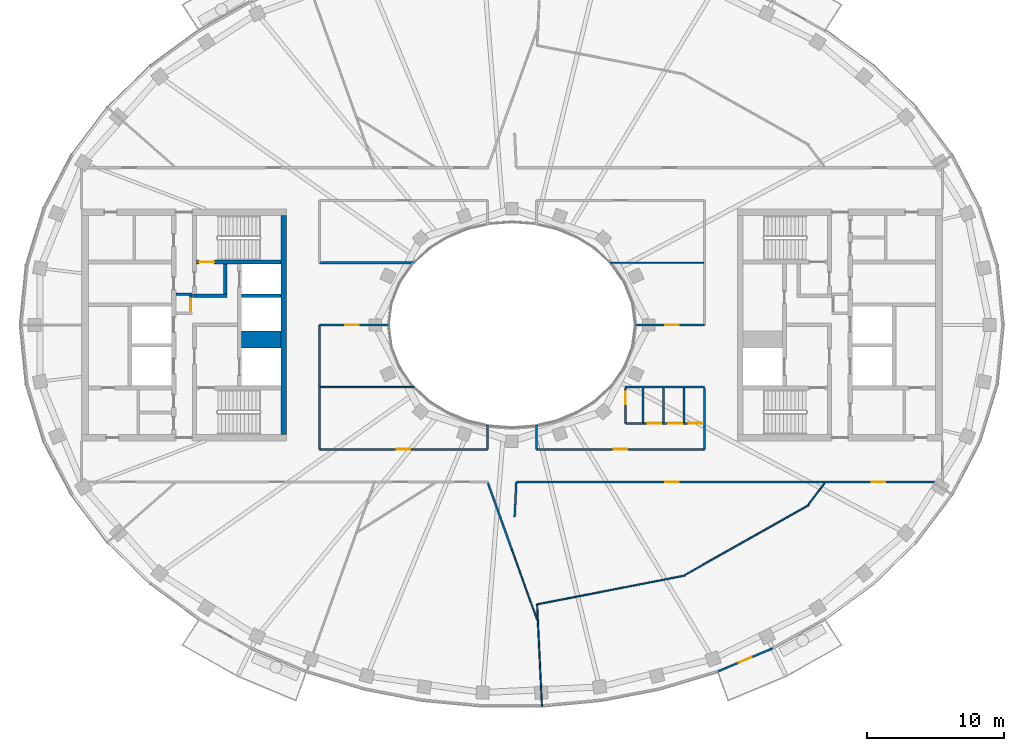
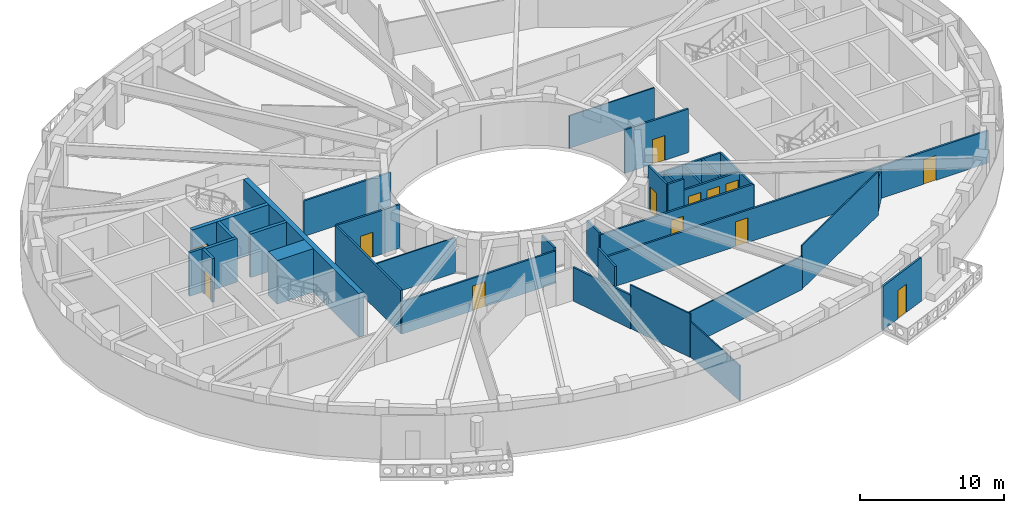
# One storey, part 4 of 15: 35 walls, 13 doors, 13 openings.
"""IFC4 building model written with IfcOpenShell, lengths in metres."""

import ifcopenshell
import ifcopenshell.guid

model = None  # the IFC model being written
_history = None  # IfcOwnerHistory: only IFC2X3 demands one
_inside = {}  # id of a spatial element -> (the spatial element, [elements in it])
_under = {}  # id of a project, library or spatial element -> (it, [spatial elements below it])
_declared = {}  # id of a project -> (the project, [libraries it declares])
_typed = {}  # id of a type object -> (the type object, [elements of that type])
_made_of = {}  # id of a material, layer set ... -> (it, [elements and type objects made of it])


def new_model(schema):
    """Start an empty IFC model of exactly this schema.

    Asked for "IFC4X3", IfcOpenShell would pick the latest addendum, in which some entities
    have other attributes; the version numbers below select the first issue.
    IFC2X3 requires an IfcOwnerHistory on every rooted entity: one is made here for all.
    """
    global model, _history
    if schema == "IFC4X3":
        model = ifcopenshell.file(schema_version=(4, 3, 0, 0))
    else:
        model = ifcopenshell.file(schema=schema)
    _inside.clear()
    _under.clear()
    _declared.clear()
    _typed.clear()
    _made_of.clear()
    _history = None
    if model.schema == "IFC2X3":
        org = make("IfcOrganization", Name="unknown")
        user = make(
            "IfcPersonAndOrganization",
            ThePerson=make("IfcPerson", FamilyName="unknown"),
            TheOrganization=org,
        )
        app = make(
            "IfcApplication",
            ApplicationDeveloper=org,
            Version="unknown",
            ApplicationFullName="unknown",
            ApplicationIdentifier="unknown",
        )
        _history = make(
            "IfcOwnerHistory",
            OwningUser=user,
            OwningApplication=app,
            ChangeAction="ADDED",
            CreationDate=0,
        )
    return model


def make(cls, **values):
    """One entity of the class cls with the attributes given. An attribute that is None is left unset."""
    return model.create_entity(
        cls, **{name: value for name, value in values.items() if value is not None}
    )


def rooted(cls, **values):
    """An entity with a GlobalId (a new one), such as an element, a storey or a relation."""
    return make(cls, GlobalId=ifcopenshell.guid.new(), OwnerHistory=_history, **values)


def si_unit(unit_type, name, prefix=None):
    """IfcSIUnit, for example si_unit("LENGTHUNIT", "METRE", prefix="MILLI")."""
    return make("IfcSIUnit", UnitType=unit_type, Prefix=prefix, Name=name)


def assignment(units):
    """IfcUnitAssignment: the units of a project."""
    return None if units is None else make("IfcUnitAssignment", Units=units)


def point(xyz):
    """IfcCartesianPoint."""
    return None if xyz is None else make("IfcCartesianPoint", Coordinates=xyz)


def direction(xyz):
    """IfcDirection."""
    return None if xyz is None else make("IfcDirection", DirectionRatios=xyz)


def frame(location, z_axis=None, x_axis=None):
    """IfcAxis2Placement3D, a coordinate frame: its origin and axes. An axis left out is left unset."""
    return make(
        "IfcAxis2Placement3D",
        Location=point(location),
        Axis=direction(z_axis),
        RefDirection=direction(x_axis),
    )


def frame_2d(location, x_axis=None):
    """IfcAxis2Placement2D, a coordinate frame in the plane: its origin and x axis."""
    return make(
        "IfcAxis2Placement2D", Location=point(location), RefDirection=direction(x_axis)
    )


def origin():
    """The frame at (0, 0, 0) with its axes left unset."""
    return frame((0.0, 0.0, 0.0))


def place(relative_to, where):
    """IfcLocalPlacement: puts the frame where relative to a parent placement (None: the world)."""
    return make(
        "IfcLocalPlacement", PlacementRelTo=relative_to, RelativePlacement=where
    )


def context(
    kind, dimensions, precision=None, world=None, true_north=None, identifier=None
):
    """IfcGeometricRepresentationContext, for example the 3D "Model" context."""
    return make(
        "IfcGeometricRepresentationContext",
        ContextIdentifier=identifier,
        ContextType=kind,
        CoordinateSpaceDimension=dimensions,
        Precision=precision,
        WorldCoordinateSystem=world,
        TrueNorth=true_north,
    )


def subcontext(parent, identifier, kind, view, scale=None):
    """IfcGeometricRepresentationSubContext, for example "Body" below "Model"."""
    return make(
        "IfcGeometricRepresentationSubContext",
        ContextIdentifier=identifier,
        ContextType=kind,
        ParentContext=parent,
        TargetScale=scale,
        TargetView=view,
    )


def project(units=None, contexts=None):
    """IfcProject with its units and contexts."""
    return rooted(
        "IfcProject",
        Name="project",
        RepresentationContexts=contexts,
        UnitsInContext=assignment(units),
    )


def spatial(cls, under=None, at=None, **own):
    """A site, building, storey or space (cls), placed at a placement, below another one or the project."""
    s = rooted(cls, ObjectPlacement=at, **own)
    if under is not None:
        _under.setdefault(under.id(), (under, []))[1].append(s)
    return s


def profile(cls, at=None, kind="AREA", **sizes):
    """A parametric profile (cls). Its sizes go by their IFC names, for example OverallWidth=200.0."""
    return make(cls, ProfileType=kind, Position=at, **sizes)


def rectangle(**sizes):
    """IfcRectangleProfileDef."""
    return profile("IfcRectangleProfileDef", **sizes)


def extrude(swept, where, along, depth):
    """IfcExtrudedAreaSolid: the profile swept, set in the frame where, extruded along a direction by depth."""
    return make(
        "IfcExtrudedAreaSolid",
        SweptArea=swept,
        Position=where,
        ExtrudedDirection=direction(along),
        Depth=depth,
    )


def shape(context_of_items, identifier, shape_type, items):
    """IfcShapeRepresentation: the items that make up one representation, for example the "Body"."""
    return make(
        "IfcShapeRepresentation",
        ContextOfItems=context_of_items,
        RepresentationIdentifier=identifier,
        RepresentationType=shape_type,
        Items=items,
    )


def material(Name=None, Category=None):
    """IfcMaterial."""
    return make("IfcMaterial", Name=Name, Category=Category)


def layer(
    of_material, thickness, ventilated=None, Name=None, Category=None, Priority=None
):
    """IfcMaterialLayer: one layer of a wall or slab, of a material (None: an air gap)."""
    return make(
        "IfcMaterialLayer",
        Material=of_material,
        LayerThickness=thickness,
        IsVentilated=ventilated,
        Name=Name,
        Category=Category,
        Priority=Priority,
    )


def layer_set(layers, Name=None):
    """IfcMaterialLayerSet."""
    return make("IfcMaterialLayerSet", MaterialLayers=layers, LayerSetName=Name)


def made_of(thing, what):
    """Note that an element or type object is made of a material, layer set ...; save() writes the relation."""
    if what is not None:
        _made_of.setdefault(what.id(), (what, []))[1].append(thing)
    return thing


def type_object(cls, material=None, **own):
    """A type object (cls), such as IfcWallType, which elements share."""
    return made_of(rooted(cls, **own), material)


def element(
    cls,
    number,
    at=None,
    inside=None,
    cuts=None,
    type_object=None,
    material=None,
    context=None,
    identifier="Body",
    shape_type=None,
    held_by="IfcProductDefinitionShape",
    body=None,
    shapes=None,
    **own,
):
    """One element of the class cls, such as IfcWall. Its Tag is "e" and its number.

    at: its placement. inside: the storey or other place that contains it. cuts: it is an
    opening in that element (IfcRelVoidsElement). A single representation is given by context,
    identifier, shape_type and body (its items); several are given by shapes. held_by: the class
    of the entity that holds the representations. save() writes the other relations.
    """
    e = rooted(cls, Tag="e%d" % number, ObjectPlacement=at, **own)
    if body is not None:
        shapes = [shape(context, identifier, shape_type, body)]
    if shapes is not None:
        e.Representation = make(held_by, Representations=shapes)
    if inside is not None:
        _inside.setdefault(inside.id(), (inside, []))[1].append(e)
    if cuts is not None:
        rooted(
            "IfcRelVoidsElement", RelatingBuildingElement=cuts, RelatedOpeningElement=e
        )
    if type_object is not None:
        _typed.setdefault(type_object.id(), (type_object, []))[1].append(e)
    return made_of(e, material)


def fill(opening, filler):
    """IfcRelFillsElement: the door or window that sits in an opening."""
    return rooted(
        "IfcRelFillsElement",
        RelatingOpeningElement=opening,
        RelatedBuildingElement=filler,
    )


def aggregate(whole, parts):
    """IfcRelAggregates: a whole, such as a stair, and the parts it consists of."""
    return rooted("IfcRelAggregates", RelatingObject=whole, RelatedObjects=parts)


def save(model, path):
    """Write the relations noted so far, then the file.

    IfcRelAggregates (storeys below a building ...), IfcRelContainedInSpatialStructure (elements
    in a storey), IfcRelDefinesByType, IfcRelAssociatesMaterial and IfcRelDeclares: one each for
    every whole, place, type object, material and project.
    """
    for whole, parts in _under.values():
        aggregate(whole, parts)
    for where, things in _inside.values():
        rooted(
            "IfcRelContainedInSpatialStructure",
            RelatedElements=things,
            RelatingStructure=where,
        )
    for kind, things in _typed.values():
        rooted("IfcRelDefinesByType", RelatedObjects=things, RelatingType=kind)
    for what, things in _made_of.values():
        rooted("IfcRelAssociatesMaterial", RelatedObjects=things, RelatingMaterial=what)
    for by, libraries in _declared.values():
        rooted("IfcRelDeclares", RelatingContext=by, RelatedDefinitions=libraries)
    model.write(path)


model = new_model("IFC4")

# Units and contexts
model_context = context("Model", 3, precision=1e-05, world=origin(), true_north=direction((0.0, 1.0)))
body_context = subcontext(model_context, "Body", "Model", "MODEL_VIEW")
ifc_project = project(units=[si_unit("LENGTHUNIT", "METRE"), si_unit("AREAUNIT", "SQUARE_METRE"), si_unit("VOLUMEUNIT", "CUBIC_METRE"), si_unit("PLANEANGLEUNIT", "RADIAN"), si_unit("MASSUNIT", "GRAM", prefix="KILO")], contexts=[model_context])

# Site, building, storey
site_placement = place(None, origin())
site = spatial("IfcSite", under=ifc_project, at=site_placement, CompositionType="ELEMENT")
building_placement = place(site_placement, origin())
building = spatial("IfcBuilding", under=site, at=building_placement, Name="Noorbagh Ring Tower", CompositionType="ELEMENT")
storey_placement = place(building_placement, frame((0.0, 0.0, 307.0)))
storey = spatial("IfcBuildingStorey", under=building, at=storey_placement, Name="L66", CompositionType="ELEMENT", Elevation=307.0)

# Wall, opening, door
ifc_material_1 = material(Name="Gypsum board on steel studs", Category="steel")
ifc_layer_1 = layer(ifc_material_1, 0.14990234375)
ifc_layer_set_1 = layer_set([ifc_layer_1], Name="Gypsum board on steel studs")
wall_type_1 = type_object("IfcWallType", Name="COMPARTMENT PARTITION 150 EI 60", PredefinedType="PARTITIONING", material=ifc_layer_set_1)
wall_1_placement = place(storey_placement, frame((8.300048828125, -7.199951171875, 0.0), z_axis=(0.0, 0.0, 1.0), x_axis=(0.0, 1.0, 0.0)))
wall_1 = element("IfcWall", 1, at=wall_1_placement, inside=storey, type_object=wall_type_1, Name="L66/wall/P41", PredefinedType="PARTITIONING", context=body_context, shape_type="SweptSolid", body=[
    extrude(rectangle(XDim=2.595947265625, YDim=0.14990234375, at=frame_2d((1.2978515625, 0.0))), origin(), (0.0, 0.0, 1.0), 3.699951171875),
])
opening_1_placement = place(wall_1_placement, frame((1.39990234375, 0.0, 0.0)))
opening_1 = element("IfcOpeningElement", 2, at=opening_1_placement, cuts=wall_1, Name="Opening D4", PredefinedType="OPENING", context=body_context, shape_type="SweptSolid", body=[
    extrude(rectangle(XDim=0.89990234375, YDim=2.10009765625, at=frame_2d((0.449951171875, 1.050048828125))), frame((0.0, 0.0849609375, 0.0), z_axis=(0.0, -1.0, 0.0), x_axis=(1.0, 0.0, 0.0)), (0.0, 0.0, 1.0), 0.169921875),
])
ifc_material_2 = material(Name="Timber, painted", Category="wood")
door_type_1 = type_object("IfcDoorType", Name="DOOR 900 X 2100 FD60", OperationType="SINGLE_SWING_LEFT", PredefinedType="DOOR", material=ifc_material_2)
door_1_placement = place(opening_1_placement, origin())
door_1 = element("IfcDoor", 3, at=door_1_placement, inside=storey, type_object=door_type_1, Name="L66-D05", OperationType="SINGLE_SWING_RIGHT", OverallHeight=2.10009765625, OverallWidth=0.89990234375, PredefinedType="DOOR", context=body_context, shape_type="SweptSolid", body=[
    extrude(rectangle(XDim=0.89990234375, YDim=2.10009765625, at=frame_2d((0.449951171875, 1.050048828125))), frame((0.0, 0.02490234375, 0.0), z_axis=(0.0, -1.0, 0.0), x_axis=(1.0, 0.0, 0.0)), (0.0, 0.0, 1.0), 0.050048828125),
])
fill(opening_1, door_1)

# Walls
wall_2_placement = place(storey_placement, frame((8.300048828125, -7.199951171875, 0.0), z_axis=(0.0, 0.0, 1.0), x_axis=(1.0, 0.0, 0.0)))
element("IfcWall", 4, at=wall_2_placement, inside=storey, type_object=wall_type_1, Name="L66/wall/P42", PredefinedType="PARTITIONING", context=body_context, shape_type="SweptSolid", body=[
    extrude(rectangle(XDim=1.27587890625, YDim=0.14990234375, at=frame_2d((0.637939453125, 0.0))), origin(), (0.0, 0.0, 1.0), 3.699951171875),
])
wall_3_placement = place(storey_placement, frame((9.575927734375, -7.199951171875, 0.0), z_axis=(0.0, 0.0, 1.0), x_axis=(0.0, 1.0, 0.0)))
element("IfcWall", 5, at=wall_3_placement, inside=storey, type_object=wall_type_1, Name="L66/wall/P44", PredefinedType="PARTITIONING", context=body_context, shape_type="SweptSolid", body=[
    extrude(rectangle(XDim=2.599853515625, YDim=0.14990234375, at=frame_2d((1.2998046875, 0.0))), origin(), (0.0, 0.0, 1.0), 2.75),
])
ifc_material_3 = material(Name="Gypsum board on steel studs", Category="steel")
ifc_layer_2 = layer(ifc_material_3, 0.199951171875)
ifc_layer_set_2 = layer_set([ifc_layer_2], Name="Gypsum board on steel studs")
wall_type_2 = type_object("IfcWallType", Name="CORE-PARTITION-200", PredefinedType="PARTITIONING", material=ifc_layer_set_2)
wall_4_placement = place(storey_placement, frame((-23.39990234375, 2.25, 0.0), z_axis=(0.0, 0.0, 1.0), x_axis=(-1.0, 0.0, 0.0)))
element("IfcWall", 6, at=wall_4_placement, inside=storey, type_object=wall_type_2, Name="Core partition W", PredefinedType="PARTITIONING", context=body_context, shape_type="SweptSolid", body=[
    extrude(rectangle(XDim=1.2001953125, YDim=0.199951171875, at=frame_2d((0.60009765625, 0.0))), origin(), (0.0, 0.0, 1.0), 3.699951171875),
])

# Wall, opening, door
wall_5_placement = place(storey_placement, frame((-23.5, 0.75, 0.0), z_axis=(0.0, 0.0, 1.0), x_axis=(0.0, 1.0, 0.0)))
wall_5 = element("IfcWall", 7, at=wall_5_placement, inside=storey, type_object=wall_type_2, Name="Core partition W", PredefinedType="PARTITIONING", context=body_context, shape_type="SweptSolid", body=[
    extrude(rectangle(XDim=1.60009765625, YDim=0.199951171875, at=frame_2d((0.800048828125, 0.0))), origin(), (0.0, 0.0, 1.0), 3.699951171875),
])
opening_2_placement = place(wall_5_placement, frame((0.25, 0.0, 0.0)))
opening_2 = element("IfcOpeningElement", 8, at=opening_2_placement, cuts=wall_5, Name="Opening L66-CW17", PredefinedType="OPENING", context=body_context, shape_type="SweptSolid", body=[
    extrude(rectangle(XDim=0.89990234375, YDim=2.10009765625, at=frame_2d((0.449951171875, 1.050048828125))), frame((0.0, 0.10986328125, 0.0), z_axis=(0.0, -1.0, 0.0), x_axis=(1.0, 0.0, 0.0)), (0.0, 0.0, 1.0), 0.219970703125),
])
ifc_material_4 = material(Name="Steel door leaf", Category="steel")
door_type_2 = type_object("IfcDoorType", Name="CORE-DOOR-DROOM", OperationType="SINGLE_SWING_LEFT", PredefinedType="DOOR", material=ifc_material_4)
door_2_placement = place(opening_2_placement, origin())
door_2 = element("IfcDoor", 9, at=door_2_placement, inside=storey, type_object=door_type_2, Name="Core room door L66-CW17", OperationType="SINGLE_SWING_RIGHT", OverallHeight=2.10009765625, OverallWidth=0.89990234375, PredefinedType="DOOR", context=body_context, shape_type="SweptSolid", body=[
    extrude(rectangle(XDim=0.89990234375, YDim=2.10009765625, at=frame_2d((0.449951171875, 1.050048828125))), frame((0.0, 0.02490234375, 0.0), z_axis=(0.0, -1.0, 0.0), x_axis=(1.0, 0.0, 0.0)), (0.0, 0.0, 1.0), 0.050048828125),
])
fill(opening_2, door_2)

# Walls
ifc_material_5 = material(Name="Concrete C50/60", Category="concrete")
ifc_layer_3 = layer(ifc_material_5, 1.25)
ifc_layer_set_3 = layer_set([ifc_layer_3], Name="Concrete C50/60")
wall_type_3 = type_object("IfcWallType", Name="CORE-WALL-1250-C50-60-EI120", PredefinedType="SHEAR", material=ifc_layer_set_3)
wall_6_placement = place(storey_placement, frame((-16.89990234375, -1.074951171875, 0.0), z_axis=(0.0, 0.0, 1.0), x_axis=(-1.0, 0.0, 0.0)))
element("IfcWall", 10, at=wall_6_placement, inside=storey, type_object=wall_type_3, Name="Core wall W", PredefinedType="SHEAR", context=body_context, shape_type="SweptSolid", body=[
    extrude(rectangle(XDim=2.900146484375, YDim=1.25, at=frame_2d((1.4501953125, 0.0))), origin(), (0.0, 0.0, 1.0), 3.699951171875),
])
ifc_material_6 = material(Name="Concrete C50/60", Category="concrete")
ifc_layer_4 = layer(ifc_material_6, 0.25)
ifc_layer_set_4 = layer_set([ifc_layer_4], Name="Concrete C50/60")
wall_type_4 = type_object("IfcWallType", Name="CORE-WALL-250-C50-60-EI120", PredefinedType="SHEAR", material=ifc_layer_set_4)
wall_7_placement = place(storey_placement, frame((-16.89990234375, 2.125, 0.0), z_axis=(0.0, 0.0, 1.0), x_axis=(-1.0, 0.0, 0.0)))
element("IfcWall", 11, at=wall_7_placement, inside=storey, type_object=wall_type_4, Name="Core wall W", PredefinedType="SHEAR", context=body_context, shape_type="SweptSolid", body=[
    extrude(rectangle(XDim=2.900146484375, YDim=0.25, at=frame_2d((1.4501953125, 0.0))), origin(), (0.0, 0.0, 1.0), 3.699951171875),
])
ifc_material_7 = material(Name="Concrete C50/60", Category="concrete")
ifc_layer_5 = layer(ifc_material_7, 0.25)
ifc_layer_set_5 = layer_set([ifc_layer_5], Name="Concrete C50/60")
wall_type_5 = type_object("IfcWallType", Name="CORE-WALL-250-C50-60-EI240", PredefinedType="SHEAR", material=ifc_layer_set_5)
wall_8_placement = place(storey_placement, frame((-20.85009765625, 2.125, 0.0), z_axis=(0.0, 0.0, 1.0), x_axis=(-1.0, 0.0, 0.0)))
element("IfcWall", 12, at=wall_8_placement, inside=storey, type_object=wall_type_5, Name="Core wall W", PredefinedType="SHEAR", context=body_context, shape_type="SweptSolid", body=[
    extrude(rectangle(XDim=2.52978515625, YDim=0.25, at=frame_2d((1.264892578125, 0.0))), origin(), (0.0, 0.0, 1.0), 3.699951171875),
])
wall_9_placement = place(storey_placement, frame((-20.97509765625, 2.25, 0.0), z_axis=(0.0, 0.0, 1.0), x_axis=(0.0, 1.0, 0.0)))
element("IfcWall", 13, at=wall_9_placement, inside=storey, type_object=wall_type_5, Name="Core wall W", PredefinedType="SHEAR", context=body_context, shape_type="SweptSolid", body=[
    extrude(rectangle(XDim=2.199951171875, YDim=0.25, at=frame_2d((1.10009765625, 0.0))), origin(), (0.0, 0.0, 1.0), 3.699951171875),
])

# Wall, opening, door
ifc_material_8 = material(Name="Concrete C50/60", Category="concrete")
ifc_layer_6 = layer(ifc_material_8, 0.300048828125)
ifc_layer_set_6 = layer_set([ifc_layer_6], Name="Concrete C50/60")
wall_type_6 = type_object("IfcWallType", Name="CORE-WALL-300-C50-60-EI240", PredefinedType="SHEAR", material=ifc_layer_set_6)
wall_10_placement = place(storey_placement, frame((-16.89990234375, 4.60009765625, 0.0), z_axis=(0.0, 0.0, 1.0), x_axis=(-1.0, 0.0, 0.0)))
wall_10 = element("IfcWall", 14, at=wall_10_placement, inside=storey, type_object=wall_type_6, Name="Core wall W", PredefinedType="SHEAR", context=body_context, shape_type="SweptSolid", body=[
    extrude(rectangle(XDim=6.18017578125, YDim=0.300048828125, at=frame_2d((3.090087890625, 0.0))), origin(), (0.0, 0.0, 1.0), 3.699951171875),
])
opening_3_placement = place(wall_10_placement, frame((4.89990234375, 0.0, 0.0)))
opening_3 = element("IfcOpeningElement", 15, at=opening_3_placement, cuts=wall_10, Name="Opening L66-CW05", PredefinedType="OPENING", context=body_context, shape_type="SweptSolid", body=[
    extrude(rectangle(XDim=1.10009765625, YDim=2.10009765625, at=frame_2d((0.550048828125, 1.050048828125))), frame((0.0, 0.16015625, 0.0), z_axis=(0.0, -1.0, 0.0), x_axis=(1.0, 0.0, 0.0)), (0.0, 0.0, 1.0), 0.320068359375),
])
ifc_material_9 = material(Name="Steel door leaf", Category="steel")
door_type_3 = type_object("IfcDoorType", Name="CORE-DOOR-DSTAIR", OperationType="SINGLE_SWING_LEFT", PredefinedType="DOOR", material=ifc_material_9)
door_3_placement = place(opening_3_placement, origin())
door_3 = element("IfcDoor", 16, at=door_3_placement, inside=storey, type_object=door_type_3, Name="Stair door ST1 L66-CW05", OperationType="SINGLE_SWING_RIGHT", OverallHeight=2.10009765625, OverallWidth=1.10009765625, PredefinedType="DOOR", context=body_context, shape_type="SweptSolid", body=[
    extrude(rectangle(XDim=1.10009765625, YDim=2.10009765625, at=frame_2d((0.550048828125, 1.050048828125))), frame((0.0, 0.02490234375, 0.0), z_axis=(0.0, -1.0, 0.0), x_axis=(1.0, 0.0, 0.0)), (0.0, 0.0, 1.0), 0.050048828125),
])
fill(opening_3, door_3)

# Walls
ifc_material_10 = material(Name="Concrete C50/60", Category="concrete")
ifc_layer_7 = layer(ifc_material_10, 0.39990234375)
ifc_layer_set_7 = layer_set([ifc_layer_7], Name="Concrete C50/60")
wall_type_7 = type_object("IfcWallType", Name="CORE-WALL-400-C50-60-EI240", PredefinedType="SHEAR", material=ifc_layer_set_7)
wall_11_placement = place(storey_placement, frame((-16.699951171875, -8.0, 0.0), z_axis=(0.0, 0.0, 1.0), x_axis=(0.0, 1.0, 0.0)))
element("IfcWall", 17, at=wall_11_placement, inside=storey, type_object=wall_type_7, Name="Core wall W", PredefinedType="SHEAR", context=body_context, shape_type="SweptSolid", body=[
    extrude(rectangle(XDim=16.0, YDim=0.39990234375, at=frame_2d((8.0, 0.0))), origin(), (0.0, 0.0, 1.0), 3.699951171875),
])
ifc_material_11 = material(Name="Gypsum board on steel studs", Category="steel")
ifc_layer_8 = layer(ifc_material_11, 0.14990234375)
ifc_layer_set_8 = layer_set([ifc_layer_8], Name="Gypsum board on steel studs")
wall_type_8 = type_object("IfcWallType", Name="CORRIDOR PARTITION 150 EI 30", PredefinedType="PARTITIONING", material=ifc_layer_set_8)
wall_12_placement = place(storey_placement, frame((-14.10009765625, -9.10009765625, 0.0), z_axis=(0.0, 0.0, 1.0), x_axis=(0.0, 1.0, 0.0)))
element("IfcWall", 18, at=wall_12_placement, inside=storey, type_object=wall_type_8, Name="L66/wall/P10", PredefinedType="PARTITIONING", context=body_context, shape_type="SweptSolid", body=[
    extrude(rectangle(XDim=9.10009765625, YDim=0.14990234375, at=frame_2d((4.550048828125, 0.0))), origin(), (0.0, 0.0, 1.0), 3.699951171875),
])

# Wall, opening, door
wall_13_placement = place(storey_placement, frame((-14.10009765625, -9.10009765625, 0.0), z_axis=(0.0, 0.0, 1.0), x_axis=(1.0, 0.0, 0.0)))
wall_13 = element("IfcWall", 19, at=wall_13_placement, inside=storey, type_object=wall_type_8, Name="L66/wall/P11", PredefinedType="PARTITIONING", context=body_context, shape_type="SweptSolid", body=[
    extrude(rectangle(XDim=12.300048828125, YDim=0.14990234375, at=frame_2d((6.14990234375, 0.0))), origin(), (0.0, 0.0, 1.0), 2.75),
])
opening_4_placement = place(wall_13_placement, frame((5.64990234375, 0.0, 0.0)))
opening_4 = element("IfcOpeningElement", 20, at=opening_4_placement, cuts=wall_13, Name="Opening D1", PredefinedType="OPENING", context=body_context, shape_type="SweptSolid", body=[
    extrude(rectangle(XDim=1.0, YDim=2.10009765625, at=frame_2d((0.5, 1.050048828125))), frame((0.0, 0.0849609375, 0.0), z_axis=(0.0, -1.0, 0.0), x_axis=(1.0, 0.0, 0.0)), (0.0, 0.0, 1.0), 0.169921875),
])
ifc_material_12 = material(Name="Timber, painted", Category="wood")
door_type_4 = type_object("IfcDoorType", Name="DOOR 1000 X 2100 FD30", OperationType="SINGLE_SWING_LEFT", PredefinedType="DOOR", material=ifc_material_12)
door_4_placement = place(opening_4_placement, origin())
door_4 = element("IfcDoor", 21, at=door_4_placement, inside=storey, type_object=door_type_4, Name="L66-D19", OperationType="SINGLE_SWING_LEFT", OverallHeight=2.10009765625, OverallWidth=1.0, PredefinedType="DOOR", context=body_context, shape_type="SweptSolid", body=[
    extrude(rectangle(XDim=1.0, YDim=2.10009765625, at=frame_2d((0.5, 1.050048828125))), frame((0.0, 0.02490234375, 0.0), z_axis=(0.0, -1.0, 0.0), x_axis=(1.0, 0.0, 0.0)), (0.0, 0.0, 1.0), 0.050048828125),
])
fill(opening_4, door_4)

wall_14_placement = place(storey_placement, frame((-14.10009765625, 0.0, 0.0), z_axis=(0.0, 0.0, 1.0), x_axis=(1.0, 0.0, 0.0)))
wall_14 = element("IfcWall", 22, at=wall_14_placement, inside=storey, type_object=wall_type_8, Name="L66/wall/P13", PredefinedType="PARTITIONING", context=body_context, shape_type="SweptSolid", body=[
    extrude(rectangle(XDim=5.09521484375, YDim=0.14990234375, at=frame_2d((2.547607421875, 0.0))), origin(), (0.0, 0.0, 1.0), 3.699951171875),
])
opening_5_placement = place(wall_14_placement, frame((1.89990234375, 0.0, 0.0)))
opening_5 = element("IfcOpeningElement", 23, at=opening_5_placement, cuts=wall_14, Name="Opening D1", PredefinedType="OPENING", context=body_context, shape_type="SweptSolid", body=[
    extrude(rectangle(XDim=1.0, YDim=2.10009765625, at=frame_2d((0.5, 1.050048828125))), frame((0.0, 0.0849609375, 0.0), z_axis=(0.0, -1.0, 0.0), x_axis=(1.0, 0.0, 0.0)), (0.0, 0.0, 1.0), 0.169921875),
])
door_5_placement = place(opening_5_placement, origin())
door_5 = element("IfcDoor", 24, at=door_5_placement, inside=storey, type_object=door_type_4, Name="L66-D20", OperationType="SINGLE_SWING_RIGHT", OverallHeight=2.10009765625, OverallWidth=1.0, PredefinedType="DOOR", context=body_context, shape_type="SweptSolid", body=[
    extrude(rectangle(XDim=1.0, YDim=2.10009765625, at=frame_2d((0.5, 1.050048828125))), frame((0.0, 0.02490234375, 0.0), z_axis=(0.0, -1.0, 0.0), x_axis=(1.0, 0.0, 0.0)), (0.0, 0.0, 1.0), 0.050048828125),
])
fill(opening_5, door_5)

# Walls
wall_15_placement = place(storey_placement, frame((-14.10009765625, 4.550048828125, 0.0), z_axis=(0.0, 0.0, 1.0), x_axis=(1.0, 0.0, 0.0)))
element("IfcWall", 25, at=wall_15_placement, inside=storey, type_object=wall_type_8, Name="L66/wall/P15", PredefinedType="PARTITIONING", context=body_context, shape_type="SweptSolid", body=[
    extrude(rectangle(XDim=6.966064453125, YDim=0.14990234375, at=frame_2d((3.48291015625, 0.0))), origin(), (0.0, 0.0, 1.0), 3.0),
])
wall_16_placement = place(storey_placement, frame((-1.800048828125, -9.10009765625, 0.0), z_axis=(0.0, 0.0, 1.0), x_axis=(0.0, 1.0, 0.0)))
element("IfcWall", 26, at=wall_16_placement, inside=storey, type_object=wall_type_8, Name="L66/wall/P21", PredefinedType="PARTITIONING", context=body_context, shape_type="SweptSolid", body=[
    extrude(rectangle(XDim=1.76416015625, YDim=0.14990234375, at=frame_2d((0.882080078125, 0.0))), origin(), (0.0, 0.0, 1.0), 3.0),
])
wall_17_placement = place(storey_placement, frame((-1.757080078125, -11.5791015625, 0.0), z_axis=(0.0, 0.0, 1.0), x_axis=(0.338313142308, -0.941033590124, 0.0)))
element("IfcWall", 27, at=wall_17_placement, inside=storey, type_object=wall_type_8, Name="L66/wall/P23", PredefinedType="PARTITIONING", context=body_context, shape_type="SweptSolid", body=[
    extrude(rectangle(XDim=5.255615234375, YDim=0.14990234375, at=frame_2d((2.6279296875, 0.0))), origin(), (0.0, 0.0, 1.0), 2.85009765625),
])
wall_18_placement = place(storey_placement, frame((0.194091796875, -14.049072265625, 0.0), z_axis=(0.0, 0.0, 1.0), x_axis=(0.047428579634, 0.99887463169, 0.0)))
element("IfcWall", 28, at=wall_18_placement, inside=storey, type_object=wall_type_8, Name="L66/wall/P27", PredefinedType="PARTITIONING", context=body_context, shape_type="SweptSolid", body=[
    extrude(rectangle(XDim=2.548095703125, YDim=0.14990234375, at=frame_2d((1.27392578125, 0.0))), origin(), (0.0, 0.0, 1.0), 3.699951171875),
])

# Wall, openings, doors
wall_19_placement = place(storey_placement, frame((0.31494140625, -11.5, 0.0), z_axis=(0.0, 0.0, 1.0), x_axis=(1.0, 0.0, 0.0)))
wall_19 = element("IfcWall", 29, at=wall_19_placement, inside=storey, type_object=wall_type_8, Name="L66/wall/P29", PredefinedType="PARTITIONING", context=body_context, shape_type="SweptSolid", body=[
    extrude(rectangle(XDim=31.18505859375, YDim=0.14990234375, at=frame_2d((15.592529296875, 0.0))), origin(), (0.0, 0.0, 1.0), 2.75),
])
opening_6_placement = place(wall_19_placement, frame((10.89990234375, 0.0, 0.0)))
opening_6 = element("IfcOpeningElement", 30, at=opening_6_placement, cuts=wall_19, Name="Opening D1", PredefinedType="OPENING", context=body_context, shape_type="SweptSolid", body=[
    extrude(rectangle(XDim=1.0, YDim=2.10009765625, at=frame_2d((0.5, 1.050048828125))), frame((0.0, 0.0849609375, 0.0), z_axis=(0.0, -1.0, 0.0), x_axis=(1.0, 0.0, 0.0)), (0.0, 0.0, 1.0), 0.169921875),
])
opening_7_placement = place(wall_19_placement, frame((26.0029296875, 0.0, 0.0)))
opening_7 = element("IfcOpeningElement", 31, at=opening_7_placement, cuts=wall_19, Name="Opening D1", PredefinedType="OPENING", context=body_context, shape_type="SweptSolid", body=[
    extrude(rectangle(XDim=1.0, YDim=2.10009765625, at=frame_2d((0.5, 1.050048828125))), frame((0.0, 0.0849609375, 0.0), z_axis=(0.0, -1.0, 0.0), x_axis=(1.0, 0.0, 0.0)), (0.0, 0.0, 1.0), 0.169921875),
])
door_6_placement = place(opening_6_placement, origin())
door_6 = element("IfcDoor", 32, at=door_6_placement, inside=storey, type_object=door_type_4, Name="L66-D14", OperationType="SINGLE_SWING_RIGHT", OverallHeight=2.10009765625, OverallWidth=1.0, PredefinedType="DOOR", context=body_context, shape_type="SweptSolid", body=[
    extrude(rectangle(XDim=1.0, YDim=2.10009765625, at=frame_2d((0.5, 1.050048828125))), frame((0.0, 0.02490234375, 0.0), z_axis=(0.0, -1.0, 0.0), x_axis=(1.0, 0.0, 0.0)), (0.0, 0.0, 1.0), 0.050048828125),
])
fill(opening_6, door_6)
door_7_placement = place(opening_7_placement, origin())
door_7 = element("IfcDoor", 33, at=door_7_placement, inside=storey, type_object=door_type_4, Name="L66-D16", OperationType="SINGLE_SWING_RIGHT", OverallHeight=2.10009765625, OverallWidth=1.0, PredefinedType="DOOR", context=body_context, shape_type="SweptSolid", body=[
    extrude(rectangle(XDim=1.0, YDim=2.10009765625, at=frame_2d((0.5, 1.050048828125))), frame((0.0, 0.02490234375, 0.0), z_axis=(0.0, -1.0, 0.0), x_axis=(1.0, 0.0, 0.0)), (0.0, 0.0, 1.0), 0.050048828125),
])
fill(opening_7, door_7)

# Wall
wall_20_placement = place(storey_placement, frame((1.800048828125, -9.10009765625, 0.0), z_axis=(0.0, 0.0, 1.0), x_axis=(0.0, 1.0, 0.0)))
element("IfcWall", 34, at=wall_20_placement, inside=storey, type_object=wall_type_8, Name="L66/wall/P31", PredefinedType="PARTITIONING", context=body_context, shape_type="SweptSolid", body=[
    extrude(rectangle(XDim=1.76416015625, YDim=0.14990234375, at=frame_2d((0.882080078125, 0.0))), origin(), (0.0, 0.0, 1.0), 3.0),
])

# Wall, opening, door
wall_21_placement = place(storey_placement, frame((1.800048828125, -9.10009765625, 0.0), z_axis=(0.0, 0.0, 1.0), x_axis=(1.0, 0.0, 0.0)))
wall_21 = element("IfcWall", 35, at=wall_21_placement, inside=storey, type_object=wall_type_8, Name="L66/wall/P32", PredefinedType="PARTITIONING", context=body_context, shape_type="SweptSolid", body=[
    extrude(rectangle(XDim=12.300048828125, YDim=0.14990234375, at=frame_2d((6.14990234375, 0.0))), origin(), (0.0, 0.0, 1.0), 2.85009765625),
])
opening_8_placement = place(wall_21_placement, frame((5.64990234375, 0.0, 0.0)))
opening_8 = element("IfcOpeningElement", 36, at=opening_8_placement, cuts=wall_21, Name="Opening D1", PredefinedType="OPENING", context=body_context, shape_type="SweptSolid", body=[
    extrude(rectangle(XDim=1.0, YDim=2.10009765625, at=frame_2d((0.5, 1.050048828125))), frame((0.0, 0.0849609375, 0.0), z_axis=(0.0, -1.0, 0.0), x_axis=(1.0, 0.0, 0.0)), (0.0, 0.0, 1.0), 0.169921875),
])
door_8_placement = place(opening_8_placement, origin())
door_8 = element("IfcDoor", 37, at=door_8_placement, inside=storey, type_object=door_type_4, Name="L66-D01", OperationType="SINGLE_SWING_LEFT", OverallHeight=2.10009765625, OverallWidth=1.0, PredefinedType="DOOR", context=body_context, shape_type="SweptSolid", body=[
    extrude(rectangle(XDim=1.0, YDim=2.10009765625, at=frame_2d((0.5, 1.050048828125))), frame((0.0, 0.02490234375, 0.0), z_axis=(0.0, -1.0, 0.0), x_axis=(1.0, 0.0, 0.0)), (0.0, 0.0, 1.0), 0.050048828125),
])
fill(opening_8, door_8)

# Wall
wall_22_placement = place(storey_placement, frame((8.27099609375, -4.550048828125, 0.0), z_axis=(0.0, 0.0, 1.0), x_axis=(1.0, 0.0, 0.0)))
element("IfcWall", 38, at=wall_22_placement, inside=storey, type_object=wall_type_8, Name="L66/wall/P40", PredefinedType="PARTITIONING", context=body_context, shape_type="SweptSolid", body=[
    extrude(rectangle(XDim=5.8291015625, YDim=0.14990234375, at=frame_2d((2.91455078125, 0.0))), origin(), (0.0, 0.0, 1.0), 2.75),
])

# Wall, opening, door
wall_23_placement = place(storey_placement, frame((9.0048828125, 0.0, 0.0), z_axis=(0.0, 0.0, 1.0), x_axis=(1.0, 0.0, 0.0)))
wall_23 = element("IfcWall", 39, at=wall_23_placement, inside=storey, type_object=wall_type_8, Name="L66/wall/P43", PredefinedType="PARTITIONING", context=body_context, shape_type="SweptSolid", body=[
    extrude(rectangle(XDim=5.09521484375, YDim=0.14990234375, at=frame_2d((2.547607421875, 0.0))), origin(), (0.0, 0.0, 1.0), 3.699951171875),
])
opening_9_placement = place(wall_23_placement, frame((2.195068359375, 0.0, 0.0)))
opening_9 = element("IfcOpeningElement", 40, at=opening_9_placement, cuts=wall_23, Name="Opening D1", PredefinedType="OPENING", context=body_context, shape_type="SweptSolid", body=[
    extrude(rectangle(XDim=1.0, YDim=2.10009765625, at=frame_2d((0.5, 1.050048828125))), frame((0.0, 0.0849609375, 0.0), z_axis=(0.0, -1.0, 0.0), x_axis=(1.0, 0.0, 0.0)), (0.0, 0.0, 1.0), 0.169921875),
])
door_9_placement = place(opening_9_placement, origin())
door_9 = element("IfcDoor", 41, at=door_9_placement, inside=storey, type_object=door_type_4, Name="L66-D23", OperationType="SINGLE_SWING_LEFT", OverallHeight=2.10009765625, OverallWidth=1.0, PredefinedType="DOOR", context=body_context, shape_type="SweptSolid", body=[
    extrude(rectangle(XDim=1.0, YDim=2.10009765625, at=frame_2d((0.5, 1.050048828125))), frame((0.0, 0.02490234375, 0.0), z_axis=(0.0, -1.0, 0.0), x_axis=(1.0, 0.0, 0.0)), (0.0, 0.0, 1.0), 0.050048828125),
])
fill(opening_9, door_9)

# Wall, openings, doors
wall_24_placement = place(storey_placement, frame((9.575927734375, -7.199951171875, 0.0), z_axis=(0.0, 0.0, 1.0), x_axis=(1.0, 0.0, 0.0)))
wall_24 = element("IfcWall", 42, at=wall_24_placement, inside=storey, type_object=wall_type_8, Name="L66/wall/P45", PredefinedType="PARTITIONING", context=body_context, shape_type="SweptSolid", body=[
    extrude(rectangle(XDim=4.448974609375, YDim=0.14990234375, at=frame_2d((2.224609375, 0.0))), origin(), (0.0, 0.0, 1.0), 2.75),
])
opening_10_placement = place(wall_24_placement, frame((3.3740234375, 0.0, 0.0)))
opening_10 = element("IfcOpeningElement", 43, at=opening_10_placement, cuts=wall_24, Name="Opening D3", PredefinedType="OPENING", context=body_context, shape_type="SweptSolid", body=[
    extrude(rectangle(XDim=1.0, YDim=2.10009765625, at=frame_2d((0.5, 1.050048828125))), frame((0.0, 0.0849609375, 0.0), z_axis=(0.0, -1.0, 0.0), x_axis=(1.0, 0.0, 0.0)), (0.0, 0.0, 1.0), 0.169921875),
])
opening_11_placement = place(wall_24_placement, frame((1.865966796875, 0.0, 0.0)))
opening_11 = element("IfcOpeningElement", 44, at=opening_11_placement, cuts=wall_24, Name="Opening D3", PredefinedType="OPENING", context=body_context, shape_type="SweptSolid", body=[
    extrude(rectangle(XDim=1.0, YDim=2.10009765625, at=frame_2d((0.5, 1.050048828125))), frame((0.0, 0.0849609375, 0.0), z_axis=(0.0, -1.0, 0.0), x_axis=(1.0, 0.0, 0.0)), (0.0, 0.0, 1.0), 0.169921875),
])
opening_12_placement = place(wall_24_placement, frame((0.35791015625, 0.0, 0.0)))
opening_12 = element("IfcOpeningElement", 45, at=opening_12_placement, cuts=wall_24, Name="Opening D3", PredefinedType="OPENING", context=body_context, shape_type="SweptSolid", body=[
    extrude(rectangle(XDim=1.0, YDim=2.10009765625, at=frame_2d((0.5, 1.050048828125))), frame((0.0, 0.0849609375, 0.0), z_axis=(0.0, -1.0, 0.0), x_axis=(1.0, 0.0, 0.0)), (0.0, 0.0, 1.0), 0.169921875),
])
ifc_material_13 = material(Name="Timber, painted", Category="wood")
door_type_5 = type_object("IfcDoorType", Name="DOOR 1000 X 2100 WC", OperationType="SINGLE_SWING_LEFT", PredefinedType="DOOR", material=ifc_material_13)
door_10_placement = place(opening_10_placement, origin())
door_10 = element("IfcDoor", 46, at=door_10_placement, inside=storey, type_object=door_type_5, Name="L66-D02", OperationType="SINGLE_SWING_RIGHT", OverallHeight=2.10009765625, OverallWidth=1.0, PredefinedType="DOOR", context=body_context, shape_type="SweptSolid", body=[
    extrude(rectangle(XDim=1.0, YDim=2.10009765625, at=frame_2d((0.5, 1.050048828125))), frame((0.0, 0.02490234375, 0.0), z_axis=(0.0, -1.0, 0.0), x_axis=(1.0, 0.0, 0.0)), (0.0, 0.0, 1.0), 0.050048828125),
])
fill(opening_10, door_10)
door_11_placement = place(opening_11_placement, origin())
door_11 = element("IfcDoor", 47, at=door_11_placement, inside=storey, type_object=door_type_5, Name="L66-D03", OperationType="SINGLE_SWING_LEFT", OverallHeight=2.10009765625, OverallWidth=1.0, PredefinedType="DOOR", context=body_context, shape_type="SweptSolid", body=[
    extrude(rectangle(XDim=1.0, YDim=2.10009765625, at=frame_2d((0.5, 1.050048828125))), frame((0.0, 0.02490234375, 0.0), z_axis=(0.0, -1.0, 0.0), x_axis=(1.0, 0.0, 0.0)), (0.0, 0.0, 1.0), 0.050048828125),
])
fill(opening_11, door_11)
door_12_placement = place(opening_12_placement, origin())
door_12 = element("IfcDoor", 48, at=door_12_placement, inside=storey, type_object=door_type_5, Name="L66-D04", OperationType="SINGLE_SWING_RIGHT", OverallHeight=2.10009765625, OverallWidth=1.0, PredefinedType="DOOR", context=body_context, shape_type="SweptSolid", body=[
    extrude(rectangle(XDim=1.0, YDim=2.10009765625, at=frame_2d((0.5, 1.050048828125))), frame((0.0, 0.02490234375, 0.0), z_axis=(0.0, -1.0, 0.0), x_axis=(1.0, 0.0, 0.0)), (0.0, 0.0, 1.0), 0.050048828125),
])
fill(opening_12, door_12)

# Walls
for number, where, z_axis, x_axis, name in (
    (49, (11.083984375, -7.125, 0.0), (0.0, 0.0, 1.0), (0.0, 1.0, 0.0), "L66/wall/P46"),
    (50, (12.592041015625, -7.125, 0.0), (0.0, 0.0, 1.0), (0.0, 1.0, 0.0), "L66/wall/P49"),
):
    element("IfcWall", number, at=place(storey_placement, frame(where, z_axis=z_axis, x_axis=x_axis)), inside=storey, type_object=wall_type_8, Name=name, PredefinedType="PARTITIONING", context=body_context, shape_type="SweptSolid", body=[
        extrude(rectangle(XDim=2.52490234375, YDim=0.14990234375, at=frame_2d((1.262451171875, 0.0))), origin(), (0.0, 0.0, 1.0), 2.75),
    ])
wall_25_placement = place(storey_placement, frame((14.10009765625, -9.10009765625, 0.0), z_axis=(0.0, 0.0, 1.0), x_axis=(0.0, 1.0, 0.0)))
element("IfcWall", 51, at=wall_25_placement, inside=storey, type_object=wall_type_8, Name="L66/wall/P50", PredefinedType="PARTITIONING", context=body_context, shape_type="SweptSolid", body=[
    extrude(rectangle(XDim=4.5, YDim=0.14990234375, at=frame_2d((2.25, 0.0))), origin(), (0.0, 0.0, 1.0), 2.75),
])

# Wall, opening, door
ifc_material_14 = material(Name="Insulated aluminium clad panel", Category="aluminium")
ifc_layer_9 = layer(ifc_material_14, 0.14990234375)
ifc_layer_set_9 = layer_set([ifc_layer_9], Name="Insulated aluminium clad panel")
wall_type_9 = type_object("IfcWallType", Name="ENV-WALL-DOOR", PredefinedType="STANDARD", material=ifc_layer_set_9)
wall_26_placement = place(storey_placement, frame((15.017822265625, -25.368896484375, 0.0), z_axis=(0.0, 0.0, 1.0), x_axis=(0.921816985161, 0.387625393736, 0.0)))
wall_26 = element("IfcWall", 52, at=wall_26_placement, inside=storey, type_object=wall_type_9, Name="Balcony door wall chord 39", PredefinedType="STANDARD", context=body_context, shape_type="SweptSolid", body=[
    extrude(rectangle(XDim=4.42578125, YDim=0.14990234375, at=frame_2d((2.212890625, 0.0))), origin(), (0.0, 0.0, 1.0), 3.699951171875),
])
opening_13_placement = place(wall_26_placement, frame((1.712890625, 0.0, 0.0)))
opening_13 = element("IfcOpeningElement", 53, at=opening_13_placement, cuts=wall_26, Name="Opening D-BL", PredefinedType="OPENING", context=body_context, shape_type="SweptSolid", body=[
    extrude(rectangle(XDim=1.0, YDim=2.39990234375, at=frame_2d((0.5, 1.199951171875))), frame((0.0, 0.0849609375, 0.0), z_axis=(0.0, -1.0, 0.0), x_axis=(1.0, 0.0, 0.0)), (0.0, 0.0, 1.0), 0.169921875),
])
ifc_material_15 = material(Name="Aluminium and glass", Category="aluminium")
door_type_6 = type_object("IfcDoorType", Name="ENV-DOOR-BALCONY", OperationType="SINGLE_SWING_LEFT", PredefinedType="DOOR", material=ifc_material_15)
door_13_placement = place(opening_13_placement, origin())
door_13 = element("IfcDoor", 54, at=door_13_placement, inside=storey, type_object=door_type_6, Name="Balcony door chord 39", OperationType="SINGLE_SWING_LEFT", OverallHeight=2.39990234375, OverallWidth=1.0, PredefinedType="DOOR", context=body_context, shape_type="SweptSolid", body=[
    extrude(rectangle(XDim=1.0, YDim=2.39990234375, at=frame_2d((0.5, 1.199951171875))), frame((0.0, 0.02490234375, 0.0), z_axis=(0.0, -1.0, 0.0), x_axis=(1.0, 0.0, 0.0)), (0.0, 0.0, 1.0), 0.050048828125),
])
fill(opening_13, door_13)

# Walls
ifc_material_16 = material(Name="Gypsum board on steel studs", Category="steel")
ifc_layer_10 = layer(ifc_material_16, 0.10009765625)
ifc_layer_set_10 = layer_set([ifc_layer_10], Name="Gypsum board on steel studs")
wall_type_10 = type_object("IfcWallType", Name="PARTITION 100 GYPSUM", PredefinedType="PARTITIONING", material=ifc_layer_set_10)
wall_27_placement = place(storey_placement, frame((-14.02490234375, -4.550048828125, 0.0), z_axis=(0.0, 0.0, 1.0), x_axis=(1.0, 0.0, 0.0)))
element("IfcWall", 55, at=wall_27_placement, inside=storey, type_object=wall_type_10, Name="L66/wall/P12", PredefinedType="PARTITIONING", context=body_context, shape_type="SweptSolid", body=[
    extrude(rectangle(XDim=6.850830078125, YDim=0.10009765625, at=frame_2d((3.42529296875, 0.0))), origin(), (0.0, 0.0, 1.0), 3.0),
])
wall_28_placement = place(storey_placement, frame((-0.010009765625, -16.43798828125, 0.0), z_axis=(0.0, 0.0, 1.0), x_axis=(0.338376018219, -0.941010983089, 0.0)))
element("IfcWall", 56, at=wall_28_placement, inside=storey, type_object=wall_type_10, Name="L66/wall/P25", PredefinedType="PARTITIONING", context=body_context, shape_type="SweptSolid", body=[
    extrude(rectangle(XDim=5.48779296875, YDim=0.10009765625, at=frame_2d((2.743896484375, 0.0))), origin(), (0.0, 0.0, 1.0), 3.699951171875),
])
wall_29_placement = place(storey_placement, frame((1.8359375, -20.447998046875, 0.0), z_axis=(0.0, 0.0, 1.0), x_axis=(0.04746405939, -0.998872946408, 0.0)))
element("IfcWall", 57, at=wall_29_placement, inside=storey, type_object=wall_type_10, Name="L66/wall/P35", PredefinedType="PARTITIONING", context=body_context, shape_type="SweptSolid", body=[
    extrude(rectangle(XDim=7.458251953125, YDim=0.10009765625, at=frame_2d((3.72900390625, 0.0))), origin(), (0.0, 0.0, 1.0), 3.0),
])
wall_30_placement = place(storey_placement, frame((1.8359375, -20.447021484375, 0.0), z_axis=(0.0, 0.0, 1.0), x_axis=(0.98151990149, 0.191360087216, 0.0)))
element("IfcWall", 58, at=wall_30_placement, inside=storey, type_object=wall_type_10, Name="L66/wall/P36", PredefinedType="PARTITIONING", context=body_context, shape_type="SweptSolid", body=[
    extrude(rectangle(XDim=11.031982421875, YDim=0.10009765625, at=frame_2d((5.51611328125, 0.0))), origin(), (0.0, 0.0, 1.0), 2.85009765625),
])
wall_31_placement = place(storey_placement, frame((7.174072265625, 4.550048828125, 0.0), z_axis=(0.0, 0.0, 1.0), x_axis=(1.0, 0.0, 0.0)))
element("IfcWall", 59, at=wall_31_placement, inside=storey, type_object=wall_type_10, Name="L66/wall/P39", PredefinedType="PARTITIONING", context=body_context, shape_type="SweptSolid", body=[
    extrude(rectangle(XDim=6.850830078125, YDim=0.10009765625, at=frame_2d((3.42529296875, 0.0))), origin(), (0.0, 0.0, 1.0), 2.75),
])
wall_32_placement = place(storey_placement, frame((12.64794921875, -18.29296875, 0.0), z_axis=(0.0, 0.0, 1.0), x_axis=(0.871228121457, 0.490878355994, 0.0)))
element("IfcWall", 60, at=wall_32_placement, inside=storey, type_object=wall_type_10, Name="L66/wall/P47", PredefinedType="PARTITIONING", context=body_context, shape_type="SweptSolid", body=[
    extrude(rectangle(XDim=10.403564453125, YDim=0.10009765625, at=frame_2d((5.20166015625, 0.0))), origin(), (0.0, 0.0, 1.0), 3.699951171875),
])
wall_33_placement = place(storey_placement, frame((21.678955078125, -13.14794921875, 0.0), z_axis=(0.0, 0.0, 1.0), x_axis=(0.602755856466, 0.797925671661, 0.0)))
element("IfcWall", 61, at=wall_33_placement, inside=storey, type_object=wall_type_10, Name="L66/wall/P52", PredefinedType="PARTITIONING", context=body_context, shape_type="SweptSolid", body=[
    extrude(rectangle(XDim=1.9677734375, YDim=0.10009765625, at=frame_2d((0.98388671875, 0.0))), origin(), (0.0, 0.0, 1.0), 2.75),
])

save(model, "model.ifc")
